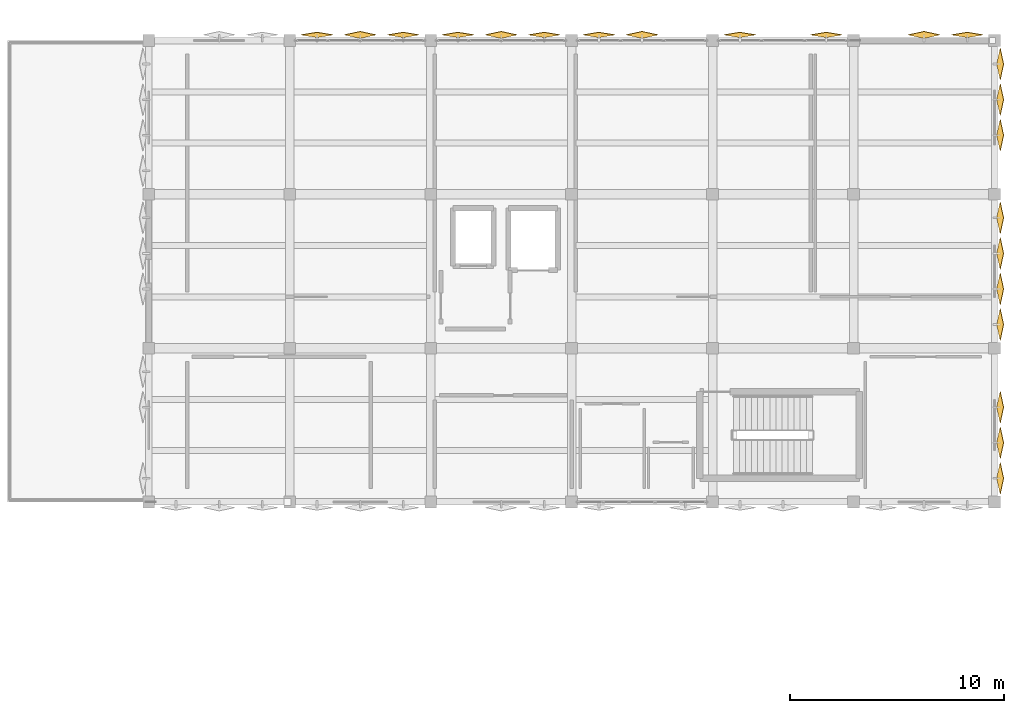
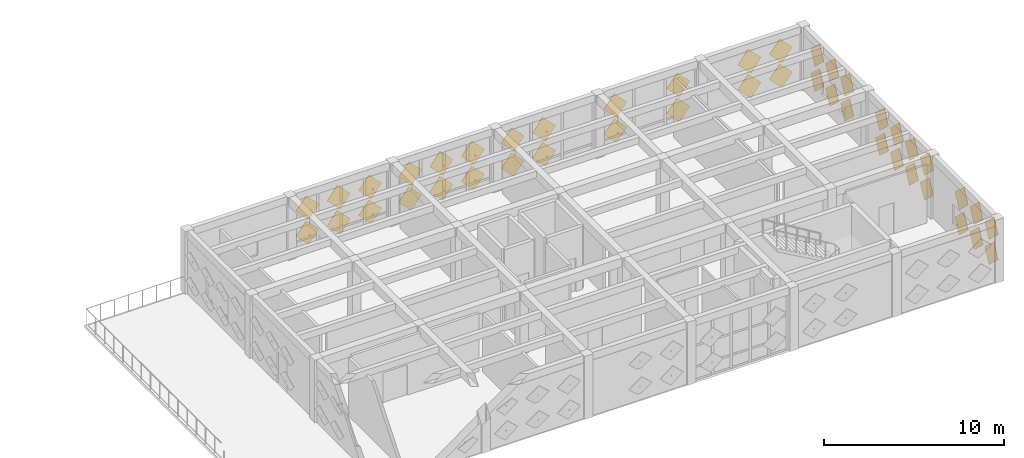
# One storey, part 39 of 39: 44 coverings.
"""IFC4 building model written with IfcOpenShell, lengths in metres."""

from ifc_helpers import new_model, si_unit, direction, frame, origin, place, context, subcontext, project, spatial, polyline, outline, extrude, material, type_object, element, save


model = new_model("IFC4")

# Units and contexts
model_context = context("Model", 3, precision=1e-05, world=origin(), true_north=direction((0.0, 1.0)))
body_context = subcontext(model_context, "Body", "Model", "MODEL_VIEW")
ifc_project = project(units=[si_unit("LENGTHUNIT", "METRE"), si_unit("AREAUNIT", "SQUARE_METRE"), si_unit("VOLUMEUNIT", "CUBIC_METRE"), si_unit("PLANEANGLEUNIT", "RADIAN"), si_unit("MASSUNIT", "GRAM", prefix="KILO")], contexts=[model_context])

# Site, building, storey
site_placement = place(None, origin())
site = spatial("IfcSite", under=ifc_project, at=site_placement, CompositionType="ELEMENT")
building_placement = place(site_placement, origin())
building = spatial("IfcBuilding", under=site, at=building_placement, Name="Kharisveld Research Institute", CompositionType="ELEMENT")
storey_placement = place(building_placement, frame((0.0, 0.0, 23.10009765625)))
storey = spatial("IfcBuildingStorey", under=building, at=storey_placement, Name="L05", CompositionType="ELEMENT", Elevation=23.10009765625)

# Coverings
ifc_material = material(Name="White Powder-Coated Perforated Aluminium", Category="aluminium")
covering_type = type_object("IfcCoveringType", Name="CV_DIA_105", PredefinedType="CLADDING")
covering_1_placement = place(storey_placement, frame((129.080078125, 60.9375, 0.317626953125), z_axis=(0.0, -0.986282612269, 0.165065468031), x_axis=(0.707138821552, 0.116713622787, 0.697375521014)))
element("IfcCovering", 1, at=covering_1_placement, inside=storey, type_object=covering_type, material=ifc_material, Name="SHD:V2:L05:N2:S0C0", PredefinedType="CLADDING", context=body_context, shape_type="SweptSolid", body=[
    extrude(outline(polyline([(0.0, 0.0), (1.049909321899567, 0.0), (1.0499844306250534, 1.0500795907141018), (-9.51489700736774e-05, 1.049909317588087), (0.0, 0.0)])), origin(), (0.0, 0.0, -1.0), 0.02392578125),
])
covering_2_placement = place(storey_placement, frame((129.080078125, 60.9375, 2.017578125), z_axis=(0.0, -0.986282612269, 0.165065468031), x_axis=(0.707024158255, 0.116732548384, 0.697488603341)))
element("IfcCovering", 2, at=covering_2_placement, inside=storey, type_object=covering_type, material=ifc_material, Name="SHD:V2:L05:N2:S0C1", PredefinedType="CLADDING", context=body_context, shape_type="SweptSolid", body=[
    extrude(outline(polyline([(0.0, 0.0), (1.0500795934002414, -1.1102230246251565e-16), (1.0501546899467695, 1.0499093192138629), (0.0002453818500782745, 1.0500795647299133), (0.0, 0.0)])), origin(), (0.0, 0.0, -1.0), 0.02392578125),
])
for number, where, z_axis, x_axis, name in (
    (3, (131.10009765625, 60.8994140625, 0.324951171875), (0.0, -0.97631069788, 0.216373337556), (0.707102116981, 0.153000063457, 0.6903604687), "SHD:V2:L05:N2:S1C0"),
    (4, (131.10009765625, 60.8994140625, 2.025146484375), (0.0, -0.97631069788, 0.216373337556), (0.707102116981, 0.153000063457, 0.6903604687), "SHD:V2:L05:N2:S1C1"),
):
    element("IfcCovering", number, at=place(storey_placement, frame(where, z_axis=z_axis, x_axis=x_axis)), inside=storey, type_object=covering_type, material=ifc_material, Name=name, PredefinedType="CLADDING", context=body_context, shape_type="SweptSolid", body=[
        extrude(outline(polyline([(0.0, 0.0), (1.0499638210603182, 0.0), (1.0499776725217052, 1.0499638209689517), (-0.00015878089139154117, 1.050136455599167), (0.0, 0.0)])), origin(), (0.0, 0.0, -1.0), 0.02392578125),
    ])
covering_3_placement = place(storey_placement, frame((133.1201171875, 60.9375, 0.317626953125), z_axis=(0.0, -0.986282612269, 0.165065468031), x_axis=(0.707138821552, 0.116713622787, 0.697375521014)))
element("IfcCovering", 5, at=covering_3_placement, inside=storey, type_object=covering_type, material=ifc_material, Name="SHD:V2:L05:N2:S2C0", PredefinedType="CLADDING", context=body_context, shape_type="SweptSolid", body=[
    extrude(outline(polyline([(0.0, 0.0), (1.049909321899567, 0.0), (1.0499844306250534, 1.0500795907141018), (-0.0002677902839293145, 1.0500819432568782), (0.0, 0.0)])), origin(), (0.0, 0.0, -1.0), 0.02392578125),
])
covering_4_placement = place(storey_placement, frame((133.1201171875, 60.9375, 2.017578125), z_axis=(0.0, -0.986282612269, 0.165065468031), x_axis=(0.707024158255, 0.116732548384, 0.697488603341)))
element("IfcCovering", 6, at=covering_4_placement, inside=storey, type_object=covering_type, material=ifc_material, Name="SHD:V2:L05:N2:S2C1", PredefinedType="CLADDING", context=body_context, shape_type="SweptSolid", body=[
    extrude(outline(polyline([(0.0, 0.0), (1.0500795934002414, -1.1102230246251565e-16), (1.0501546899467695, 1.0499093192138629), (7.276853019166918e-05, 1.050252218390671), (0.0, 0.0)])), origin(), (0.0, 0.0, -1.0), 0.02392578125),
])
covering_5_placement = place(storey_placement, frame((135.679931640625, 60.9375, 0.317626953125), z_axis=(0.0, -0.986282612269, 0.165065468031), x_axis=(0.707138821552, 0.116713622787, 0.697375521014)))
element("IfcCovering", 7, at=covering_5_placement, inside=storey, type_object=covering_type, material=ifc_material, Name="SHD:V2:L05:N3:S0C0", PredefinedType="CLADDING", context=body_context, shape_type="SweptSolid", body=[
    extrude(outline(polyline([(0.0, 0.0), (1.049909321899567, 0.0), (1.0499844306250534, 1.0500795907141018), (-9.51489700736774e-05, 1.049909317588087), (0.0, 0.0)])), origin(), (0.0, 0.0, -1.0), 0.02392578125),
])
covering_6_placement = place(storey_placement, frame((135.679931640625, 60.9375, 2.017578125), z_axis=(0.0, -0.986282612269, 0.165065468031), x_axis=(0.707024158255, 0.116732548384, 0.697488603341)))
element("IfcCovering", 8, at=covering_6_placement, inside=storey, type_object=covering_type, material=ifc_material, Name="SHD:V2:L05:N3:S0C1", PredefinedType="CLADDING", context=body_context, shape_type="SweptSolid", body=[
    extrude(outline(polyline([(0.0, 0.0), (1.0500795934002414, -1.1102230246251565e-16), (1.0501546899467695, 1.0499093192138629), (0.0002453818500782745, 1.0500795647299133), (0.0, 0.0)])), origin(), (0.0, 0.0, -1.0), 0.02392578125),
])
for number, where, z_axis, x_axis, name in (
    (9, (137.699951171875, 60.8994140625, 0.324951171875), (0.0, -0.97631069788, 0.216373337556), (0.707102116981, 0.153000063457, 0.6903604687), "SHD:V2:L05:N3:S1C0"),
    (10, (137.699951171875, 60.8994140625, 2.025146484375), (0.0, -0.97631069788, 0.216373337556), (0.707102116981, 0.153000063457, 0.6903604687), "SHD:V2:L05:N3:S1C1"),
):
    element("IfcCovering", number, at=place(storey_placement, frame(where, z_axis=z_axis, x_axis=x_axis)), inside=storey, type_object=covering_type, material=ifc_material, Name=name, PredefinedType="CLADDING", context=body_context, shape_type="SweptSolid", body=[
        extrude(outline(polyline([(0.0, 0.0), (1.0499638210603182, 0.0), (1.0499776725217052, 1.0499638209689517), (1.3851461386993336e-05, 1.0499638209689517), (0.0, 0.0)])), origin(), (0.0, 0.0, -1.0), 0.02392578125),
    ])
covering_7_placement = place(storey_placement, frame((139.719970703125, 60.9375, 0.317626953125), z_axis=(0.0, -0.986282612269, 0.165065468031), x_axis=(0.707138821552, 0.116713622787, 0.697375521014)))
element("IfcCovering", 11, at=covering_7_placement, inside=storey, type_object=covering_type, material=ifc_material, Name="SHD:V2:L05:N3:S2C0", PredefinedType="CLADDING", context=body_context, shape_type="SweptSolid", body=[
    extrude(outline(polyline([(0.0, 0.0), (1.049909321899567, 0.0), (1.0499844306250534, 1.0500795907141018), (-9.51489700736774e-05, 1.049909317588087), (0.0, 0.0)])), origin(), (0.0, 0.0, -1.0), 0.02392578125),
])
covering_8_placement = place(storey_placement, frame((139.719970703125, 60.9375, 2.017578125), z_axis=(0.0, -0.986282612269, 0.165065468031), x_axis=(0.707024158255, 0.116732548384, 0.697488603341)))
element("IfcCovering", 12, at=covering_8_placement, inside=storey, type_object=covering_type, material=ifc_material, Name="SHD:V2:L05:N3:S2C1", PredefinedType="CLADDING", context=body_context, shape_type="SweptSolid", body=[
    extrude(outline(polyline([(0.0, 0.0), (1.0500795934002414, -1.1102230246251565e-16), (1.0501546899467695, 1.0499093192138629), (0.0002453818500782745, 1.0500795647299133), (0.0, 0.0)])), origin(), (0.0, 0.0, -1.0), 0.02392578125),
])
covering_9_placement = place(storey_placement, frame((142.280029296875, 60.9375, 0.317626953125), z_axis=(0.0, -0.986282612269, 0.165065468031), x_axis=(0.707138821552, 0.116713622787, 0.697375521014)))
element("IfcCovering", 13, at=covering_9_placement, inside=storey, type_object=covering_type, material=ifc_material, Name="SHD:V2:L05:N4:S0C0", PredefinedType="CLADDING", context=body_context, shape_type="SweptSolid", body=[
    extrude(outline(polyline([(0.0, 0.0), (1.049909321899567, 0.0), (1.0499844306250534, 1.0500795907141018), (-9.51489700736774e-05, 1.049909317588087), (0.0, 0.0)])), origin(), (0.0, 0.0, -1.0), 0.02392578125),
])
covering_10_placement = place(storey_placement, frame((142.280029296875, 60.9375, 2.017578125), z_axis=(0.0, -0.986282612269, 0.165065468031), x_axis=(0.707024158255, 0.116732548384, 0.697488603341)))
element("IfcCovering", 14, at=covering_10_placement, inside=storey, type_object=covering_type, material=ifc_material, Name="SHD:V2:L05:N4:S0C1", PredefinedType="CLADDING", context=body_context, shape_type="SweptSolid", body=[
    extrude(outline(polyline([(0.0, 0.0), (1.0500795934002414, -1.1102230246251565e-16), (1.0501546899467695, 1.0499093192138629), (0.0002453818500782745, 1.0500795647299133), (0.0, 0.0)])), origin(), (0.0, 0.0, -1.0), 0.02392578125),
])
for number, where, z_axis, x_axis, name in (
    (15, (144.300048828125, 60.8994140625, 0.324951171875), (0.0, -0.97631069788, 0.216373337556), (0.707102116981, 0.153000063457, 0.6903604687), "SHD:V2:L05:N4:S1C0"),
    (16, (144.300048828125, 60.8994140625, 2.025146484375), (0.0, -0.97631069788, 0.216373337556), (0.707102116981, 0.153000063457, 0.6903604687), "SHD:V2:L05:N4:S1C1"),
):
    element("IfcCovering", number, at=place(storey_placement, frame(where, z_axis=z_axis, x_axis=x_axis)), inside=storey, type_object=covering_type, material=ifc_material, Name=name, PredefinedType="CLADDING", context=body_context, shape_type="SweptSolid", body=[
        extrude(outline(polyline([(0.0, 0.0), (1.0499638210603182, 0.0), (1.0499776725217052, 1.0499638209689517), (1.3851461386993336e-05, 1.0499638209689517), (0.0, 0.0)])), origin(), (0.0, 0.0, -1.0), 0.02392578125),
    ])
covering_11_placement = place(storey_placement, frame((148.8798828125, 60.9375, 0.317626953125), z_axis=(0.0, -0.986282612269, 0.165065468031), x_axis=(0.707255049827, 0.116694432619, 0.69726085785)))
element("IfcCovering", 17, at=covering_11_placement, inside=storey, type_object=covering_type, material=ifc_material, Name="SHD:V2:L05:N5:S0C0", PredefinedType="CLADDING", context=body_context, shape_type="SweptSolid", body=[
    extrude(outline(polyline([(0.0, 0.0), (1.0500819774026109, 1.1102230246251565e-16), (1.0498117911607456, 1.050252186157772), (-0.00026774625358971793, 1.0499092877594485), (0.0, 0.0)])), origin(), (0.0, 0.0, -1.0), 0.02392578125),
])
covering_12_placement = place(storey_placement, frame((148.8798828125, 60.9375, 2.017578125), z_axis=(0.0, -0.986282612269, 0.165065468031), x_axis=(0.707140405383, 0.116713361327, 0.697373958764)))
element("IfcCovering", 18, at=covering_12_placement, inside=storey, type_object=covering_type, material=ifc_material, Name="SHD:V2:L05:N5:S0C1", PredefinedType="CLADDING", context=body_context, shape_type="SweptSolid", body=[
    extrude(outline(polyline([(0.0, 0.0), (1.0502522209116176, -1.1102230246251565e-16), (1.049982078466331, 1.0500819426543992), (7.275656939786934e-05, 1.0500795908797094), (0.0, 0.0)])), origin(), (0.0, 0.0, -1.0), 0.02392578125),
])
covering_13_placement = place(storey_placement, frame((152.919921875, 60.9375, 0.317626953125), z_axis=(0.0, -0.986282612269, 0.165065468031), x_axis=(0.707138821552, 0.116713622787, 0.697375521014)))
element("IfcCovering", 19, at=covering_13_placement, inside=storey, type_object=covering_type, material=ifc_material, Name="SHD:V2:L05:N5:S2C0", PredefinedType="CLADDING", context=body_context, shape_type="SweptSolid", body=[
    extrude(outline(polyline([(0.0, 0.0), (1.049909321899567, 0.0), (1.0499844306250534, 1.0500795907141018), (-9.51489700736774e-05, 1.049909317588087), (0.0, 0.0)])), origin(), (0.0, 0.0, -1.0), 0.02392578125),
])
covering_14_placement = place(storey_placement, frame((152.919921875, 60.9375, 2.017578125), z_axis=(0.0, -0.986282612269, 0.165065468031), x_axis=(0.707024158255, 0.116732548384, 0.697488603341)))
element("IfcCovering", 20, at=covering_14_placement, inside=storey, type_object=covering_type, material=ifc_material, Name="SHD:V2:L05:N5:S2C1", PredefinedType="CLADDING", context=body_context, shape_type="SweptSolid", body=[
    extrude(outline(polyline([(0.0, 0.0), (1.0500795934002414, -1.1102230246251565e-16), (1.0501546899467695, 1.0499093192138629), (0.0002453818500782745, 1.0500795647299133), (0.0, 0.0)])), origin(), (0.0, 0.0, -1.0), 0.02392578125),
])
for number, where, z_axis, x_axis, name in (
    (21, (157.5, 60.8994140625, 0.324951171875), (0.0, -0.97631069788, 0.216373337556), (0.707102116981, 0.153000063457, 0.6903604687), "SHD:V2:L05:N6:S1C0"),
    (22, (157.5, 60.8994140625, 2.025146484375), (0.0, -0.97631069788, 0.216373337556), (0.707102116981, 0.153000063457, 0.6903604687), "SHD:V2:L05:N6:S1C1"),
):
    element("IfcCovering", number, at=place(storey_placement, frame(where, z_axis=z_axis, x_axis=x_axis)), inside=storey, type_object=covering_type, material=ifc_material, Name=name, PredefinedType="CLADDING", context=body_context, shape_type="SweptSolid", body=[
        extrude(outline(polyline([(0.0, 0.0), (1.0499638210603182, 0.0), (1.0499776725217052, 1.0499638209689517), (1.3851461386993336e-05, 1.0499638209689517), (0.0, 0.0)])), origin(), (0.0, 0.0, -1.0), 0.02392578125),
    ])
covering_15_placement = place(storey_placement, frame((159.52001953125, 60.9375, 0.317626953125), z_axis=(0.0, -0.986282612269, 0.165065468031), x_axis=(0.707138821552, 0.116713622787, 0.697375521014)))
element("IfcCovering", 23, at=covering_15_placement, inside=storey, type_object=covering_type, material=ifc_material, Name="SHD:V2:L05:N6:S2C0", PredefinedType="CLADDING", context=body_context, shape_type="SweptSolid", body=[
    extrude(outline(polyline([(0.0, 0.0), (1.049909321899567, 0.0), (1.0499844306250534, 1.0500795907141018), (-9.51489700736774e-05, 1.049909317588087), (0.0, 0.0)])), origin(), (0.0, 0.0, -1.0), 0.02392578125),
])
covering_16_placement = place(storey_placement, frame((159.52001953125, 60.9375, 2.017578125), z_axis=(0.0, -0.986282612269, 0.165065468031), x_axis=(0.707024158255, 0.116732548384, 0.697488603341)))
element("IfcCovering", 24, at=covering_16_placement, inside=storey, type_object=covering_type, material=ifc_material, Name="SHD:V2:L05:N6:S2C1", PredefinedType="CLADDING", context=body_context, shape_type="SweptSolid", body=[
    extrude(outline(polyline([(0.0, 0.0), (1.0500795934002414, -1.1102230246251565e-16), (1.0501546899467695, 1.0499093192138629), (0.0002453818500782745, 1.0500795647299133), (0.0, 0.0)])), origin(), (0.0, 0.0, -1.0), 0.02392578125),
])
for number, where, z_axis, x_axis, name in (
    (25, (160.8994140625, 59.697509765625, 0.324951171875), (-0.97631069788, 0.0, 0.216373337556), (0.153000063457, -0.707102116981, 0.6903604687), "SHD:V2:L05:E3:S0C0"),
    (26, (160.8994140625, 59.697509765625, 2.025146484375), (-0.97631069788, 0.0, 0.216373337556), (0.153000063457, -0.707102116981, 0.6903604687), "SHD:V2:L05:E3:S0C1"),
    (27, (160.8994140625, 58.032470703125, 0.324951171875), (-0.97631069788, 0.0, 0.216373337556), (0.153000063457, -0.707102116981, 0.6903604687), "SHD:V2:L05:E3:S1C0"),
    (28, (160.8994140625, 58.032470703125, 2.025146484375), (-0.97631069788, 0.0, 0.216373337556), (0.153000063457, -0.707102116981, 0.6903604687), "SHD:V2:L05:E3:S1C1"),
    (29, (160.8994140625, 56.367431640625, 0.324951171875), (-0.97631069788, 0.0, 0.216373337556), (0.153000063457, -0.707102116981, 0.6903604687), "SHD:V2:L05:E3:S2C0"),
    (30, (160.8994140625, 56.367431640625, 2.025146484375), (-0.97631069788, 0.0, 0.216373337556), (0.153000063457, -0.707102116981, 0.6903604687), "SHD:V2:L05:E3:S2C1"),
    (31, (160.8994140625, 52.49755859375, 0.324951171875), (-0.97631069788, 0.0, 0.216373337556), (0.153000063457, -0.707102116981, 0.6903604687), "SHD:V2:L05:E2:S0C0"),
    (32, (160.8994140625, 52.49755859375, 2.025146484375), (-0.97631069788, 0.0, 0.216373337556), (0.153000063457, -0.707102116981, 0.6903604687), "SHD:V2:L05:E2:S0C1"),
    (33, (160.8994140625, 50.83251953125, 0.324951171875), (-0.97631069788, 0.0, 0.216373337556), (0.153000063457, -0.707102116981, 0.6903604687), "SHD:V2:L05:E2:S1C0"),
    (34, (160.8994140625, 50.83251953125, 2.025146484375), (-0.97631069788, 0.0, 0.216373337556), (0.153000063457, -0.707102116981, 0.6903604687), "SHD:V2:L05:E2:S1C1"),
    (35, (160.8994140625, 49.16748046875, 0.324951171875), (-0.97631069788, 0.0, 0.216373337556), (0.153000063457, -0.707102116981, 0.6903604687), "SHD:V2:L05:E2:S2C0"),
    (36, (160.8994140625, 49.16748046875, 2.025146484375), (-0.97631069788, 0.0, 0.216373337556), (0.153000063457, -0.707102116981, 0.6903604687), "SHD:V2:L05:E2:S2C1"),
    (37, (160.8994140625, 47.50244140625, 0.324951171875), (-0.97631069788, 0.0, 0.216373337556), (0.153000063457, -0.707102116981, 0.6903604687), "SHD:V2:L05:E2:S3C0"),
    (38, (160.8994140625, 47.50244140625, 2.025146484375), (-0.97631069788, 0.0, 0.216373337556), (0.153000063457, -0.707102116981, 0.6903604687), "SHD:V2:L05:E2:S3C1"),
    (39, (160.8994140625, 43.632568359375, 0.324951171875), (-0.97631069788, 0.0, 0.216373337556), (0.153000063457, -0.707102116981, 0.6903604687), "SHD:V2:L05:E1:S1C0"),
    (40, (160.8994140625, 43.632568359375, 2.025146484375), (-0.97631069788, 0.0, 0.216373337556), (0.153000063457, -0.707102116981, 0.6903604687), "SHD:V2:L05:E1:S1C1"),
    (41, (160.8994140625, 41.967529296875, 0.324951171875), (-0.97631069788, 0.0, 0.216373337556), (0.153000063457, -0.707102116981, 0.6903604687), "SHD:V2:L05:E1:S2C0"),
    (42, (160.8994140625, 41.967529296875, 2.025146484375), (-0.97631069788, 0.0, 0.216373337556), (0.153000063457, -0.707102116981, 0.6903604687), "SHD:V2:L05:E1:S2C1"),
    (43, (160.8994140625, 40.302490234375, 0.324951171875), (-0.97631069788, 0.0, 0.216373337556), (0.153000063457, -0.707102116981, 0.6903604687), "SHD:V2:L05:E1:S3C0"),
    (44, (160.8994140625, 40.302490234375, 2.025146484375), (-0.97631069788, 0.0, 0.216373337556), (0.153000063457, -0.707102116981, 0.6903604687), "SHD:V2:L05:E1:S3C1"),
):
    element("IfcCovering", number, at=place(storey_placement, frame(where, z_axis=z_axis, x_axis=x_axis)), inside=storey, type_object=covering_type, material=ifc_material, Name=name, PredefinedType="CLADDING", context=body_context, shape_type="SweptSolid", body=[
        extrude(outline(polyline([(0.0, 0.0), (1.0499638210603182, 0.0), (1.0499776725217052, 1.0499638209689517), (1.3851461386993336e-05, 1.0499638209689517), (0.0, 0.0)])), origin(), (0.0, 0.0, -1.0), 0.02392578125),
    ])

save(model, "model.ifc")
